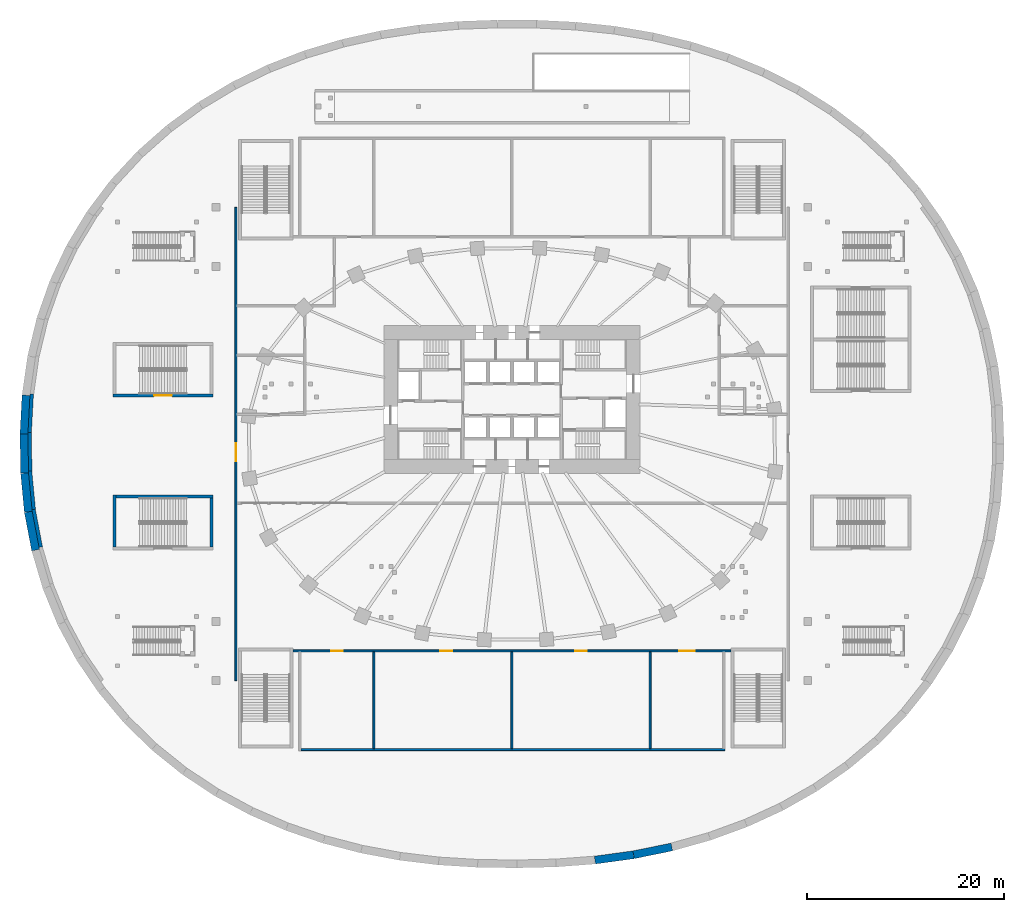
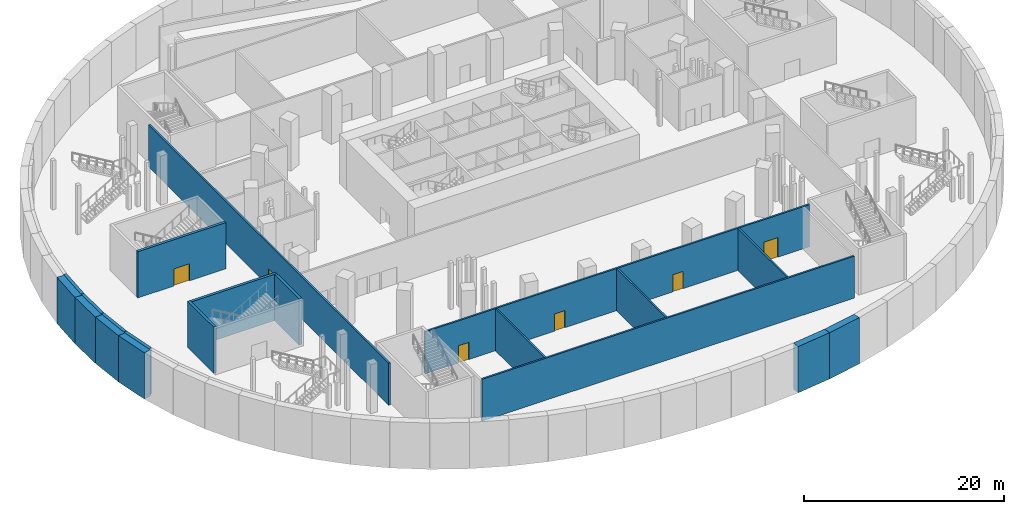
# One storey, part 4 of 19: 20 walls, 6 doors, 6 openings.
"""IFC4 building model written with IfcOpenShell, lengths in metres."""

import ifcopenshell
import ifcopenshell.guid

model = None  # the IFC model being written
_history = None  # IfcOwnerHistory: only IFC2X3 demands one
_inside = {}  # id of a spatial element -> (the spatial element, [elements in it])
_under = {}  # id of a project, library or spatial element -> (it, [spatial elements below it])
_declared = {}  # id of a project -> (the project, [libraries it declares])
_typed = {}  # id of a type object -> (the type object, [elements of that type])
_made_of = {}  # id of a material, layer set ... -> (it, [elements and type objects made of it])


def new_model(schema):
    """Start an empty IFC model of exactly this schema.

    Asked for "IFC4X3", IfcOpenShell would pick the latest addendum, in which some entities
    have other attributes; the version numbers below select the first issue.
    IFC2X3 requires an IfcOwnerHistory on every rooted entity: one is made here for all.
    """
    global model, _history
    if schema == "IFC4X3":
        model = ifcopenshell.file(schema_version=(4, 3, 0, 0))
    else:
        model = ifcopenshell.file(schema=schema)
    _inside.clear()
    _under.clear()
    _declared.clear()
    _typed.clear()
    _made_of.clear()
    _history = None
    if model.schema == "IFC2X3":
        org = make("IfcOrganization", Name="unknown")
        user = make(
            "IfcPersonAndOrganization",
            ThePerson=make("IfcPerson", FamilyName="unknown"),
            TheOrganization=org,
        )
        app = make(
            "IfcApplication",
            ApplicationDeveloper=org,
            Version="unknown",
            ApplicationFullName="unknown",
            ApplicationIdentifier="unknown",
        )
        _history = make(
            "IfcOwnerHistory",
            OwningUser=user,
            OwningApplication=app,
            ChangeAction="ADDED",
            CreationDate=0,
        )
    return model


def make(cls, **values):
    """One entity of the class cls with the attributes given. An attribute that is None is left unset."""
    return model.create_entity(
        cls, **{name: value for name, value in values.items() if value is not None}
    )


def rooted(cls, **values):
    """An entity with a GlobalId (a new one), such as an element, a storey or a relation."""
    return make(cls, GlobalId=ifcopenshell.guid.new(), OwnerHistory=_history, **values)


def si_unit(unit_type, name, prefix=None):
    """IfcSIUnit, for example si_unit("LENGTHUNIT", "METRE", prefix="MILLI")."""
    return make("IfcSIUnit", UnitType=unit_type, Prefix=prefix, Name=name)


def assignment(units):
    """IfcUnitAssignment: the units of a project."""
    return None if units is None else make("IfcUnitAssignment", Units=units)


def point(xyz):
    """IfcCartesianPoint."""
    return None if xyz is None else make("IfcCartesianPoint", Coordinates=xyz)


def direction(xyz):
    """IfcDirection."""
    return None if xyz is None else make("IfcDirection", DirectionRatios=xyz)


def frame(location, z_axis=None, x_axis=None):
    """IfcAxis2Placement3D, a coordinate frame: its origin and axes. An axis left out is left unset."""
    return make(
        "IfcAxis2Placement3D",
        Location=point(location),
        Axis=direction(z_axis),
        RefDirection=direction(x_axis),
    )


def frame_2d(location, x_axis=None):
    """IfcAxis2Placement2D, a coordinate frame in the plane: its origin and x axis."""
    return make(
        "IfcAxis2Placement2D", Location=point(location), RefDirection=direction(x_axis)
    )


def origin():
    """The frame at (0, 0, 0) with its axes left unset."""
    return frame((0.0, 0.0, 0.0))


def place(relative_to, where):
    """IfcLocalPlacement: puts the frame where relative to a parent placement (None: the world)."""
    return make(
        "IfcLocalPlacement", PlacementRelTo=relative_to, RelativePlacement=where
    )


def context(
    kind, dimensions, precision=None, world=None, true_north=None, identifier=None
):
    """IfcGeometricRepresentationContext, for example the 3D "Model" context."""
    return make(
        "IfcGeometricRepresentationContext",
        ContextIdentifier=identifier,
        ContextType=kind,
        CoordinateSpaceDimension=dimensions,
        Precision=precision,
        WorldCoordinateSystem=world,
        TrueNorth=true_north,
    )


def subcontext(parent, identifier, kind, view, scale=None):
    """IfcGeometricRepresentationSubContext, for example "Body" below "Model"."""
    return make(
        "IfcGeometricRepresentationSubContext",
        ContextIdentifier=identifier,
        ContextType=kind,
        ParentContext=parent,
        TargetScale=scale,
        TargetView=view,
    )


def project(units=None, contexts=None):
    """IfcProject with its units and contexts."""
    return rooted(
        "IfcProject",
        Name="project",
        RepresentationContexts=contexts,
        UnitsInContext=assignment(units),
    )


def spatial(cls, under=None, at=None, **own):
    """A site, building, storey or space (cls), placed at a placement, below another one or the project."""
    s = rooted(cls, ObjectPlacement=at, **own)
    if under is not None:
        _under.setdefault(under.id(), (under, []))[1].append(s)
    return s


def profile(cls, at=None, kind="AREA", **sizes):
    """A parametric profile (cls). Its sizes go by their IFC names, for example OverallWidth=200.0."""
    return make(cls, ProfileType=kind, Position=at, **sizes)


def rectangle(**sizes):
    """IfcRectangleProfileDef."""
    return profile("IfcRectangleProfileDef", **sizes)


def extrude(swept, where, along, depth):
    """IfcExtrudedAreaSolid: the profile swept, set in the frame where, extruded along a direction by depth."""
    return make(
        "IfcExtrudedAreaSolid",
        SweptArea=swept,
        Position=where,
        ExtrudedDirection=direction(along),
        Depth=depth,
    )


def shape(context_of_items, identifier, shape_type, items):
    """IfcShapeRepresentation: the items that make up one representation, for example the "Body"."""
    return make(
        "IfcShapeRepresentation",
        ContextOfItems=context_of_items,
        RepresentationIdentifier=identifier,
        RepresentationType=shape_type,
        Items=items,
    )


def material(Name=None, Category=None):
    """IfcMaterial."""
    return make("IfcMaterial", Name=Name, Category=Category)


def layer(
    of_material, thickness, ventilated=None, Name=None, Category=None, Priority=None
):
    """IfcMaterialLayer: one layer of a wall or slab, of a material (None: an air gap)."""
    return make(
        "IfcMaterialLayer",
        Material=of_material,
        LayerThickness=thickness,
        IsVentilated=ventilated,
        Name=Name,
        Category=Category,
        Priority=Priority,
    )


def layer_set(layers, Name=None):
    """IfcMaterialLayerSet."""
    return make("IfcMaterialLayerSet", MaterialLayers=layers, LayerSetName=Name)


def made_of(thing, what):
    """Note that an element or type object is made of a material, layer set ...; save() writes the relation."""
    if what is not None:
        _made_of.setdefault(what.id(), (what, []))[1].append(thing)
    return thing


def type_object(cls, material=None, **own):
    """A type object (cls), such as IfcWallType, which elements share."""
    return made_of(rooted(cls, **own), material)


def element(
    cls,
    number,
    at=None,
    inside=None,
    cuts=None,
    type_object=None,
    material=None,
    context=None,
    identifier="Body",
    shape_type=None,
    held_by="IfcProductDefinitionShape",
    body=None,
    shapes=None,
    **own,
):
    """One element of the class cls, such as IfcWall. Its Tag is "e" and its number.

    at: its placement. inside: the storey or other place that contains it. cuts: it is an
    opening in that element (IfcRelVoidsElement). A single representation is given by context,
    identifier, shape_type and body (its items); several are given by shapes. held_by: the class
    of the entity that holds the representations. save() writes the other relations.
    """
    e = rooted(cls, Tag="e%d" % number, ObjectPlacement=at, **own)
    if body is not None:
        shapes = [shape(context, identifier, shape_type, body)]
    if shapes is not None:
        e.Representation = make(held_by, Representations=shapes)
    if inside is not None:
        _inside.setdefault(inside.id(), (inside, []))[1].append(e)
    if cuts is not None:
        rooted(
            "IfcRelVoidsElement", RelatingBuildingElement=cuts, RelatedOpeningElement=e
        )
    if type_object is not None:
        _typed.setdefault(type_object.id(), (type_object, []))[1].append(e)
    return made_of(e, material)


def fill(opening, filler):
    """IfcRelFillsElement: the door or window that sits in an opening."""
    return rooted(
        "IfcRelFillsElement",
        RelatingOpeningElement=opening,
        RelatedBuildingElement=filler,
    )


def aggregate(whole, parts):
    """IfcRelAggregates: a whole, such as a stair, and the parts it consists of."""
    return rooted("IfcRelAggregates", RelatingObject=whole, RelatedObjects=parts)


def save(model, path):
    """Write the relations noted so far, then the file.

    IfcRelAggregates (storeys below a building ...), IfcRelContainedInSpatialStructure (elements
    in a storey), IfcRelDefinesByType, IfcRelAssociatesMaterial and IfcRelDeclares: one each for
    every whole, place, type object, material and project.
    """
    for whole, parts in _under.values():
        aggregate(whole, parts)
    for where, things in _inside.values():
        rooted(
            "IfcRelContainedInSpatialStructure",
            RelatedElements=things,
            RelatingStructure=where,
        )
    for kind, things in _typed.values():
        rooted("IfcRelDefinesByType", RelatedObjects=things, RelatingType=kind)
    for what, things in _made_of.values():
        rooted("IfcRelAssociatesMaterial", RelatedObjects=things, RelatingMaterial=what)
    for by, libraries in _declared.values():
        rooted("IfcRelDeclares", RelatingContext=by, RelatedDefinitions=libraries)
    model.write(path)


model = new_model("IFC4")

# Units and contexts
model_context = context("Model", 3, precision=1e-05, world=origin(), true_north=direction((0.0, 1.0)))
body_context = subcontext(model_context, "Body", "Model", "MODEL_VIEW")
ifc_project = project(units=[si_unit("LENGTHUNIT", "METRE"), si_unit("AREAUNIT", "SQUARE_METRE"), si_unit("VOLUMEUNIT", "CUBIC_METRE"), si_unit("PLANEANGLEUNIT", "RADIAN"), si_unit("MASSUNIT", "GRAM", prefix="KILO")], contexts=[model_context])

# Site, building, storey
site_placement = place(None, origin())
site = spatial("IfcSite", under=ifc_project, at=site_placement, CompositionType="ELEMENT")
building_placement = place(site_placement, origin())
building = spatial("IfcBuilding", under=site, at=building_placement, Name="Rubra Terraces Tower", CompositionType="ELEMENT")
storey_placement = place(building_placement, frame((0.0, 0.0, -6.0)))
storey = spatial("IfcBuildingStorey", under=building, at=storey_placement, Name="B1", CompositionType="ELEMENT", Elevation=-6.0)

# Walls
ifc_material_1 = material(Name="Concrete C40", Category="concrete")
ifc_layer_1 = layer(ifc_material_1, 0.800048828125)
ifc_layer_set_1 = layer_set([ifc_layer_1], Name="Concrete C40")
wall_type_1 = type_object("IfcWallType", Name="BASEMENT WALL 800", PredefinedType="SOLIDWALL", material=ifc_layer_set_1)
wall_1_placement = place(storey_placement, frame((16.2119140625, -40.8779296875, 0.0), z_axis=(0.0, 0.0, 1.0), x_axis=(-0.979755666471, -0.200196988034, 0.0)))
element("IfcWall", 1, at=wall_1_placement, inside=storey, type_object=wall_type_1, Name="wall-B1-basement-016", PredefinedType="SOLIDWALL", context=body_context, shape_type="SweptSolid", body=[
    extrude(rectangle(XDim=3.9560546875, YDim=0.800048828125, at=frame_2d((1.97802734375, 0.0))), origin(), (0.0, 0.0, 1.0), 5.64990234375),
])
wall_2_placement = place(storey_placement, frame((12.3359375, -41.669921875, 0.0), z_axis=(0.0, 0.0, 1.0), x_axis=(-0.990822661728, -0.135168239638, 0.0)))
element("IfcWall", 2, at=wall_2_placement, inside=storey, type_object=wall_type_1, Name="wall-B1-basement-017", PredefinedType="SOLIDWALL", context=body_context, shape_type="SweptSolid", body=[
    extrude(rectangle(XDim=3.959228515625, YDim=0.800048828125, at=frame_2d((1.9794921875, 0.0))), origin(), (0.0, 0.0, 1.0), 5.64990234375),
])
wall_3_placement = place(storey_placement, frame((-48.31298828125, -10.77197265625, 0.0), z_axis=(0.0, 0.0, 1.0), x_axis=(-0.187291226667, 0.982304431637, 0.0)))
element("IfcWall", 3, at=wall_3_placement, inside=storey, type_object=wall_type_1, Name="wall-B1-basement-036", PredefinedType="SOLIDWALL", context=body_context, shape_type="SweptSolid", body=[
    extrude(rectangle(XDim=3.94580078125, YDim=0.800048828125, at=frame_2d((1.972900390625, 0.0))), origin(), (0.0, 0.0, 1.0), 5.64990234375),
])
wall_4_placement = place(storey_placement, frame((-49.052001953125, -6.89599609375, 0.0), z_axis=(0.0, 0.0, 1.0), x_axis=(-0.095235161582, 0.995454802589, 0.0)))
element("IfcWall", 4, at=wall_4_placement, inside=storey, type_object=wall_type_1, Name="wall-B1-basement-037", PredefinedType="SOLIDWALL", context=body_context, shape_type="SweptSolid", body=[
    extrude(rectangle(XDim=3.94775390625, YDim=0.800048828125, at=frame_2d((1.973876953125, 0.0))), origin(), (0.0, 0.0, 1.0), 5.64990234375),
])
wall_5_placement = place(storey_placement, frame((-49.427978515625, -2.966064453125, 0.0), z_axis=(0.0, 0.0, 1.0), x_axis=(-0.016664352334, 0.99986114004, 0.0)))
element("IfcWall", 5, at=wall_5_placement, inside=storey, type_object=wall_type_1, Name="wall-B1-basement-038", PredefinedType="SOLIDWALL", context=body_context, shape_type="SweptSolid", body=[
    extrude(rectangle(XDim=3.95556640625, YDim=0.800048828125, at=frame_2d((1.977783203125, 0.0))), origin(), (0.0, 0.0, 1.0), 5.64990234375),
])
wall_6_placement = place(storey_placement, frame((-49.493896484375, 0.989013671875, 0.0), z_axis=(0.0, 0.0, 1.0), x_axis=(0.053119676616, 0.998588153323, 0.0)))
element("IfcWall", 6, at=wall_6_placement, inside=storey, type_object=wall_type_1, Name="wall-B1-basement-039", PredefinedType="SOLIDWALL", context=body_context, shape_type="SweptSolid", body=[
    extrude(rectangle(XDim=3.95263671875, YDim=0.800048828125, at=frame_2d((1.976318359375, 0.0))), origin(), (0.0, 0.0, 1.0), 5.64990234375),
])

# Wall, opening, door
ifc_material_2 = material(Name="Blockwork", Category="masonry")
ifc_layer_2 = layer(ifc_material_2, 0.199951171875)
ifc_layer_set_2 = layer_set([ifc_layer_2], Name="Blockwork")
wall_type_2 = type_object("IfcWallType", Name="Corridor partition 200 blockwork", PredefinedType="PARTITIONING", material=ifc_layer_set_2)
wall_7_placement = place(storey_placement, frame((-28.0, -24.0, 0.0), z_axis=(0.0, 0.0, 1.0), x_axis=(0.0, 1.0, 0.0)))
wall_7 = element("IfcWall", 7, at=wall_7_placement, inside=storey, type_object=wall_type_2, Name="Partition wall", PredefinedType="PARTITIONING", context=body_context, shape_type="SweptSolid", body=[
    extrude(rectangle(XDim=48.0, YDim=0.199951171875, at=frame_2d((24.0, 0.0))), origin(), (0.0, 0.0, 1.0), 5.14794921875),
])
opening_1_placement = place(wall_7_placement, frame((22.259033203125, 0.0, 0.0)))
opening_1 = element("IfcOpeningElement", 8, at=opening_1_placement, cuts=wall_7, Name="Opening DB3", PredefinedType="OPENING", context=body_context, shape_type="SweptSolid", body=[
    extrude(rectangle(XDim=1.800048828125, YDim=2.10009765625, at=frame_2d((0.89990234375, 1.050048828125))), frame((0.0, 0.10986328125, 0.0), z_axis=(0.0, -1.0, 0.0), x_axis=(1.0, 0.0, 0.0)), (0.0, 0.0, 1.0), 0.219970703125),
])
ifc_material_3 = material(Name="Painted steel", Category="steel")
door_type_1 = type_object("IfcDoorType", Name="Door 1800x2100 double", OperationType="NOTDEFINED", PredefinedType="DOOR", material=ifc_material_3)
door_1_placement = place(opening_1_placement, origin())
door_1 = element("IfcDoor", 9, at=door_1_placement, inside=storey, type_object=door_type_1, Name="Door B1-29", OperationType="DOUBLE_DOOR_SINGLE_SWING", OverallHeight=2.10009765625, OverallWidth=1.800048828125, PredefinedType="DOOR", context=body_context, shape_type="SweptSolid", body=[
    extrude(rectangle(XDim=1.800048828125, YDim=2.10009765625, at=frame_2d((0.89990234375, 1.050048828125))), frame((0.0, 0.02490234375, 0.0), z_axis=(0.0, -1.0, 0.0), x_axis=(1.0, 0.0, 0.0)), (0.0, 0.0, 1.0), 0.050048828125),
])
fill(opening_1, door_1)

# Wall, openings, doors
wall_8_placement = place(storey_placement, frame((22.199951171875, -21.0, 0.0), z_axis=(0.0, 0.0, 1.0), x_axis=(-1.0, 0.0, 0.0)))
wall_8 = element("IfcWall", 10, at=wall_8_placement, inside=storey, type_object=wall_type_2, Name="Partition wall", PredefinedType="PARTITIONING", context=body_context, shape_type="SweptSolid", body=[
    extrude(rectangle(XDim=44.39990234375, YDim=0.199951171875, at=frame_2d((22.199951171875, 0.0))), origin(), (0.0, 0.0, 1.0), 5.14794921875),
])
opening_2_placement = place(wall_8_placement, frame((39.35009765625, 0.0, 0.0)))
opening_2 = element("IfcOpeningElement", 11, at=opening_2_placement, cuts=wall_8, Name="Opening DB7", PredefinedType="OPENING", context=body_context, shape_type="SweptSolid", body=[
    extrude(rectangle(XDim=1.199951171875, YDim=2.10009765625, at=frame_2d((0.60009765625, 1.050048828125))), frame((0.0, 0.10986328125, 0.0), z_axis=(0.0, -1.0, 0.0), x_axis=(1.0, 0.0, 0.0)), (0.0, 0.0, 1.0), 0.219970703125),
])
opening_3_placement = place(wall_8_placement, frame((28.259033203125, 0.0, 0.0)))
opening_3 = element("IfcOpeningElement", 12, at=opening_3_placement, cuts=wall_8, Name="Opening DB7", PredefinedType="OPENING", context=body_context, shape_type="SweptSolid", body=[
    extrude(rectangle(XDim=1.199951171875, YDim=2.10009765625, at=frame_2d((0.60009765625, 1.050048828125))), frame((0.0, 0.10986328125, 0.0), z_axis=(0.0, -1.0, 0.0), x_axis=(1.0, 0.0, 0.0)), (0.0, 0.0, 1.0), 0.219970703125),
])
opening_4_placement = place(wall_8_placement, frame((14.60009765625, 0.0, 0.0)))
opening_4 = element("IfcOpeningElement", 13, at=opening_4_placement, cuts=wall_8, Name="Opening DB7", PredefinedType="OPENING", context=body_context, shape_type="SweptSolid", body=[
    extrude(rectangle(XDim=1.199951171875, YDim=2.10009765625, at=frame_2d((0.60009765625, 1.050048828125))), frame((0.0, 0.10986328125, 0.0), z_axis=(0.0, -1.0, 0.0), x_axis=(1.0, 0.0, 0.0)), (0.0, 0.0, 1.0), 0.219970703125),
])
opening_5_placement = place(wall_8_placement, frame((3.64990234375, 0.0, 0.0)))
opening_5 = element("IfcOpeningElement", 14, at=opening_5_placement, cuts=wall_8, Name="Opening DB8", PredefinedType="OPENING", context=body_context, shape_type="SweptSolid", body=[
    extrude(rectangle(XDim=1.60009765625, YDim=2.39990234375, at=frame_2d((0.800048828125, 1.199951171875))), frame((0.0, 0.10986328125, 0.0), z_axis=(0.0, -1.0, 0.0), x_axis=(1.0, 0.0, 0.0)), (0.0, 0.0, 1.0), 0.219970703125),
])
ifc_material_4 = material(Name="Painted timber", Category="wood")
door_type_2 = type_object("IfcDoorType", Name="Door 1200x2100 single", OperationType="NOTDEFINED", PredefinedType="DOOR", material=ifc_material_4)
door_2_placement = place(opening_2_placement, origin())
door_2 = element("IfcDoor", 15, at=door_2_placement, inside=storey, type_object=door_type_2, Name="Door B1-05", OperationType="SINGLE_SWING_LEFT", OverallHeight=2.10009765625, OverallWidth=1.199951171875, PredefinedType="DOOR", context=body_context, shape_type="SweptSolid", body=[
    extrude(rectangle(XDim=1.199951171875, YDim=2.10009765625, at=frame_2d((0.60009765625, 1.050048828125))), frame((0.0, 0.02490234375, 0.0), z_axis=(0.0, -1.0, 0.0), x_axis=(1.0, 0.0, 0.0)), (0.0, 0.0, 1.0), 0.050048828125),
])
fill(opening_2, door_2)
door_3_placement = place(opening_3_placement, origin())
door_3 = element("IfcDoor", 16, at=door_3_placement, inside=storey, type_object=door_type_2, Name="Door B1-06", OperationType="SINGLE_SWING_LEFT", OverallHeight=2.10009765625, OverallWidth=1.199951171875, PredefinedType="DOOR", context=body_context, shape_type="SweptSolid", body=[
    extrude(rectangle(XDim=1.199951171875, YDim=2.10009765625, at=frame_2d((0.60009765625, 1.050048828125))), frame((0.0, 0.02490234375, 0.0), z_axis=(0.0, -1.0, 0.0), x_axis=(1.0, 0.0, 0.0)), (0.0, 0.0, 1.0), 0.050048828125),
])
fill(opening_3, door_3)
door_4_placement = place(opening_4_placement, origin())
door_4 = element("IfcDoor", 17, at=door_4_placement, inside=storey, type_object=door_type_2, Name="Door B1-07", OperationType="SINGLE_SWING_LEFT", OverallHeight=2.10009765625, OverallWidth=1.199951171875, PredefinedType="DOOR", context=body_context, shape_type="SweptSolid", body=[
    extrude(rectangle(XDim=1.199951171875, YDim=2.10009765625, at=frame_2d((0.60009765625, 1.050048828125))), frame((0.0, 0.02490234375, 0.0), z_axis=(0.0, -1.0, 0.0), x_axis=(1.0, 0.0, 0.0)), (0.0, 0.0, 1.0), 0.050048828125),
])
fill(opening_4, door_4)
door_type_3 = type_object("IfcDoorType", Name="Goods door 1600x2400 double", OperationType="NOTDEFINED", PredefinedType="DOOR", material=ifc_material_3)
door_5_placement = place(opening_5_placement, origin())
door_5 = element("IfcDoor", 18, at=door_5_placement, inside=storey, type_object=door_type_3, Name="Door B1-08", OperationType="DOUBLE_DOOR_SINGLE_SWING", OverallHeight=2.39990234375, OverallWidth=1.60009765625, PredefinedType="DOOR", context=body_context, shape_type="SweptSolid", body=[
    extrude(rectangle(XDim=1.60009765625, YDim=2.39990234375, at=frame_2d((0.800048828125, 1.199951171875))), frame((0.0, 0.02490234375, 0.0), z_axis=(0.0, -1.0, 0.0), x_axis=(1.0, 0.0, 0.0)), (0.0, 0.0, 1.0), 0.050048828125),
])
fill(opening_5, door_5)

# Walls
ifc_material_5 = material(Name="Concrete C40/50", Category="concrete")
ifc_layer_3 = layer(ifc_material_5, 0.35009765625)
ifc_layer_set_3 = layer_set([ifc_layer_3], Name="Concrete C40/50")
wall_type_3 = type_object("IfcWallType", Name="Retaining liner wall 350 concrete", PredefinedType="SOLIDWALL", material=ifc_layer_set_3)
wall_9_placement = place(storey_placement, frame((-47.785888671875, -10.464111328125, 0.0), z_axis=(0.0, 0.0, 1.0), x_axis=(-0.187406268956, 0.982282490099, 0.0)))
element("IfcWall", 19, at=wall_9_placement, inside=storey, type_object=wall_type_3, Name="Retaining liner wall", PredefinedType="SOLIDWALL", context=body_context, shape_type="SweptSolid", body=[
    extrude(rectangle(XDim=3.889892578125, YDim=0.35009765625, at=frame_2d((1.94482421875, 0.0))), origin(), (0.0, 0.0, 1.0), 5.64990234375),
])
wall_10_placement = place(storey_placement, frame((-48.4990234375, -6.64111328125, 0.0), z_axis=(0.0, 0.0, 1.0), x_axis=(-0.095405836866, 0.995438459319, 0.0)))
element("IfcWall", 20, at=wall_10_placement, inside=storey, type_object=wall_type_3, Name="Retaining liner wall", PredefinedType="SOLIDWALL", context=body_context, shape_type="SweptSolid", body=[
    extrude(rectangle(XDim=3.89990234375, YDim=0.35009765625, at=frame_2d((1.949951171875, 0.0))), origin(), (0.0, 0.0, 1.0), 5.64990234375),
])
wall_11_placement = place(storey_placement, frame((-48.85693359375, -2.758056640625, 0.0), z_axis=(0.0, 0.0, 1.0), x_axis=(-0.016664352334, 0.99986114004, 0.0)))
element("IfcWall", 21, at=wall_11_placement, inside=storey, type_object=wall_type_3, Name="Retaining liner wall", PredefinedType="SOLIDWALL", context=body_context, shape_type="SweptSolid", body=[
    extrude(rectangle(XDim=3.91162109375, YDim=0.35009765625, at=frame_2d((1.955810546875, 0.0))), origin(), (0.0, 0.0, 1.0), 5.64990234375),
])
wall_12_placement = place(storey_placement, frame((-48.909912109375, 1.153076171875, 0.0), z_axis=(0.0, 0.0, 1.0), x_axis=(0.053234382574, 0.998582044958, 0.0)))
element("IfcWall", 22, at=wall_12_placement, inside=storey, type_object=wall_type_3, Name="Retaining liner wall", PredefinedType="SOLIDWALL", context=body_context, shape_type="SweptSolid", body=[
    extrude(rectangle(XDim=3.907470703125, YDim=0.35009765625, at=frame_2d((1.95361328125, 0.0))), origin(), (0.0, 0.0, 1.0), 5.64990234375),
])
ifc_layer_4 = layer(ifc_material_2, 0.199951171875)
ifc_layer_set_4 = layer_set([ifc_layer_4], Name="Blockwork")
wall_type_4 = type_object("IfcWallType", Name="Room partition 200 blockwork", PredefinedType="PARTITIONING", material=ifc_layer_set_4)
wall_13_placement = place(storey_placement, frame((-14.0, -21.10009765625, 0.0), z_axis=(0.0, 0.0, 1.0), x_axis=(0.0, -1.0, 0.0)))
element("IfcWall", 23, at=wall_13_placement, inside=storey, type_object=wall_type_4, Name="Partition wall", PredefinedType="PARTITIONING", context=body_context, shape_type="SweptSolid", body=[
    extrude(rectangle(XDim=9.7998046875, YDim=0.199951171875, at=frame_2d((4.89990234375, 0.0))), origin(), (0.0, 0.0, 1.0), 5.134033203125),
])
wall_14_placement = place(storey_placement, frame((21.60009765625, -31.0, 0.0), z_axis=(0.0, 0.0, 1.0), x_axis=(-1.0, 0.0, 0.0)))
element("IfcWall", 24, at=wall_14_placement, inside=storey, type_object=wall_type_4, Name="Partition wall", PredefinedType="PARTITIONING", context=body_context, shape_type="SweptSolid", body=[
    extrude(rectangle(XDim=43.0, YDim=0.199951171875, at=frame_2d((21.5, 0.0))), origin(), (0.0, 0.0, 1.0), 5.134033203125),
])
for number, where, z_axis, x_axis, name in (
    (25, (0.0, -21.10009765625, 0.0), (0.0, 0.0, 1.0), (0.0, -1.0, 0.0), "Partition wall"),
    (26, (14.0, -21.10009765625, 0.0), (0.0, 0.0, 1.0), (0.0, -1.0, 0.0), "Partition wall"),
):
    element("IfcWall", number, at=place(storey_placement, frame(where, z_axis=z_axis, x_axis=x_axis)), inside=storey, type_object=wall_type_4, Name=name, PredefinedType="PARTITIONING", context=body_context, shape_type="SweptSolid", body=[
        extrude(rectangle(XDim=9.7998046875, YDim=0.199951171875, at=frame_2d((4.89990234375, 0.0))), origin(), (0.0, 0.0, 1.0), 5.134033203125),
    ])

# Wall, opening, door
ifc_layer_5 = layer(ifc_material_5, 0.300048828125)
ifc_layer_set_5 = layer_set([ifc_layer_5], Name="Concrete C40/50")
wall_type_5 = type_object("IfcWallType", Name="Stair shaft wall 300 concrete", PredefinedType="SOLIDWALL", material=ifc_layer_set_5)
wall_15_placement = place(storey_placement, frame((-30.300048828125, 4.89990234375, 0.0), z_axis=(0.0, 0.0, 1.0), x_axis=(-1.0, 0.0, 0.0)))
wall_15 = element("IfcWall", 27, at=wall_15_placement, inside=storey, type_object=wall_type_5, Name="Stair shaft wall", PredefinedType="SOLIDWALL", context=body_context, shape_type="SweptSolid", body=[
    extrude(rectangle(XDim=10.159912109375, YDim=0.300048828125, at=frame_2d((5.080078125, 0.0))), origin(), (0.0, 0.0, 1.0), 5.64990234375),
])
opening_6_placement = place(wall_15_placement, frame((4.179931640625, 0.0, 0.0)))
opening_6 = element("IfcOpeningElement", 28, at=opening_6_placement, cuts=wall_15, Name="Opening DB3", PredefinedType="OPENING", context=body_context, shape_type="SweptSolid", body=[
    extrude(rectangle(XDim=1.800048828125, YDim=2.10009765625, at=frame_2d((0.89990234375, 1.050048828125))), frame((0.0, 0.159912109375, 0.0), z_axis=(0.0, -1.0, 0.0), x_axis=(1.0, 0.0, 0.0)), (0.0, 0.0, 1.0), 0.320068359375),
])
door_6_placement = place(opening_6_placement, origin())
door_6 = element("IfcDoor", 29, at=door_6_placement, inside=storey, type_object=door_type_1, Name="Stair door B1-18", OperationType="DOUBLE_DOOR_SINGLE_SWING", OverallHeight=2.10009765625, OverallWidth=1.800048828125, PredefinedType="DOOR", context=body_context, shape_type="SweptSolid", body=[
    extrude(rectangle(XDim=1.800048828125, YDim=2.10009765625, at=frame_2d((0.89990234375, 1.050048828125))), frame((0.0, 0.02490234375, 0.0), z_axis=(0.0, -1.0, 0.0), x_axis=(1.0, 0.0, 0.0)), (0.0, 0.0, 1.0), 0.050048828125),
])
fill(opening_6, door_6)

# Walls
wall_16_placement = place(storey_placement, frame((-40.31005859375, -10.449951171875, 0.0), z_axis=(0.0, 0.0, 1.0), x_axis=(0.0, 1.0, 0.0)))
element("IfcWall", 30, at=wall_16_placement, inside=storey, type_object=wall_type_5, Name="Stair shaft wall", PredefinedType="SOLIDWALL", context=body_context, shape_type="SweptSolid", body=[
    extrude(rectangle(XDim=5.25, YDim=0.300048828125, at=frame_2d((2.625, 0.0))), origin(), (0.0, 0.0, 1.0), 5.64990234375),
])
wall_17_placement = place(storey_placement, frame((-40.159912109375, -5.35009765625, 0.0), z_axis=(0.0, 0.0, 1.0), x_axis=(1.0, 0.0, 0.0)))
element("IfcWall", 31, at=wall_17_placement, inside=storey, type_object=wall_type_5, Name="Stair shaft wall", PredefinedType="SOLIDWALL", context=body_context, shape_type="SweptSolid", body=[
    extrude(rectangle(XDim=9.85986328125, YDim=0.300048828125, at=frame_2d((4.929931640625, 0.0))), origin(), (0.0, 0.0, 1.0), 5.64990234375),
])
wall_18_placement = place(storey_placement, frame((-30.449951171875, -5.5, 0.0), z_axis=(0.0, 0.0, 1.0), x_axis=(0.0, -1.0, 0.0)))
element("IfcWall", 32, at=wall_18_placement, inside=storey, type_object=wall_type_5, Name="Stair shaft wall", PredefinedType="SOLIDWALL", context=body_context, shape_type="SweptSolid", body=[
    extrude(rectangle(XDim=4.949951171875, YDim=0.300048828125, at=frame_2d((2.47509765625, 0.0))), origin(), (0.0, 0.0, 1.0), 5.64990234375),
])

save(model, "model.ifc")
